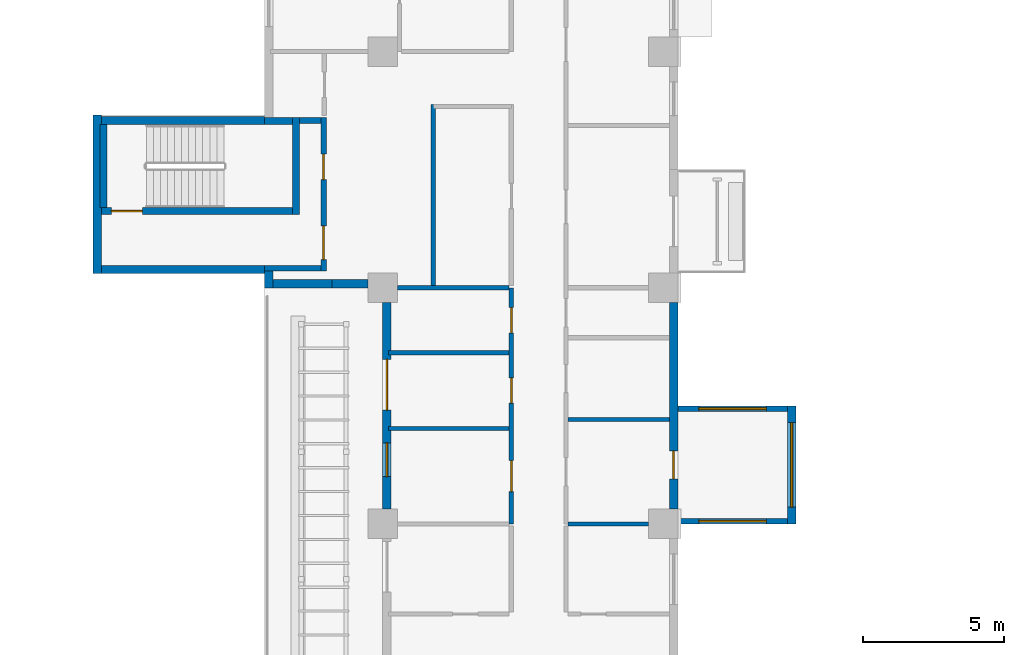
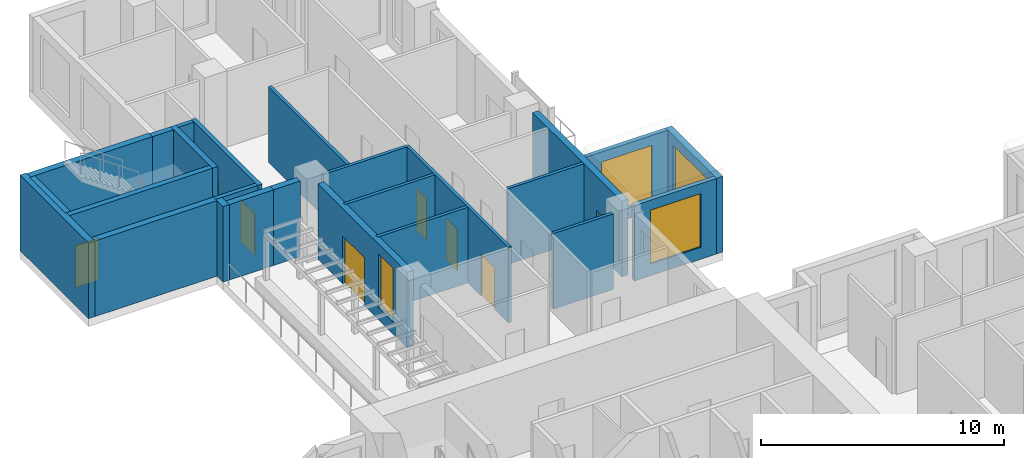
# One storey, part 8 of 16: 25 walls, 8 doors, 4 windows, 12 openings.
"""IFC4 building model written with IfcOpenShell, lengths in metres."""

from ifc_helpers import new_model, si_unit, direction, frame, frame_2d, origin, place, context, subcontext, project, spatial, rectangle, extrude, source, transform, mapped, material, layer, layer_set, type_object, element, fill, save


model = new_model("IFC4")

# Units and contexts
model_context = context("Model", 3, precision=1e-05, world=origin(), true_north=direction((0.0, 1.0)))
body_context = subcontext(model_context, "Body", "Model", "MODEL_VIEW")
ifc_project = project(units=[si_unit("LENGTHUNIT", "METRE"), si_unit("AREAUNIT", "SQUARE_METRE"), si_unit("VOLUMEUNIT", "CUBIC_METRE"), si_unit("PLANEANGLEUNIT", "RADIAN"), si_unit("MASSUNIT", "GRAM", prefix="KILO")], contexts=[model_context])

# Site, building, storey
site_placement = place(None, origin())
site = spatial("IfcSite", under=ifc_project, at=site_placement, CompositionType="ELEMENT")
building_placement = place(site_placement, origin())
building = spatial("IfcBuilding", under=site, at=building_placement, Name="Aurelian Terraces", CompositionType="ELEMENT")
storey_placement = place(building_placement, frame((0.0, 0.0, 124.5)))
storey = spatial("IfcBuildingStorey", under=building, at=storey_placement, Name="L27", CompositionType="ELEMENT", Elevation=124.5)

# Walls
ifc_material_1 = material(Name="Terracotta rainscreen cladding", Category="masonry")
ifc_layer_1 = layer(ifc_material_1, 0.3)
ifc_layer_set_1 = layer_set([ifc_layer_1], Name="EW-300")
wall_type_1 = type_object("IfcWallType", Name="EW-300", PredefinedType="STANDARD", material=ifc_layer_set_1)
wall_1_placement = place(storey_placement, frame((6.45, 38.4, 0.0), z_axis=(0.0, 0.0, 1.0), x_axis=(0.0, -1.0, 0.0)))
element("IfcWall", 1, at=wall_1_placement, inside=storey, type_object=wall_type_1, Name="External wall L27 F16.37", PredefinedType="STANDARD", context=body_context, shape_type="SweptSolid", body=[
    extrude(rectangle(XDim=0.6, YDim=0.3, at=frame_2d((0.3, 0.0))), origin(), (0.0, 0.0, 1.0), 3.8),
])
wall_2_placement = place(storey_placement, frame((8.7, 37.95, 0.0), z_axis=(0.0, 0.0, 1.0), x_axis=(1.0, 0.0, 0.0)))
element("IfcWall", 2, at=wall_2_placement, inside=storey, type_object=wall_type_1, Name="External wall L27 F17.38", PredefinedType="STANDARD", context=body_context, shape_type="SweptSolid", body=[
    extrude(rectangle(XDim=1.275, YDim=0.3, at=frame_2d((0.6375, 0.0))), origin(), (0.0, 0.0, 1.0), 3.8),
])
ifc_material_2 = material(Name="Concrete fc' 40 MPa", Category="concrete")
ifc_layer_2 = layer(ifc_material_2, 0.3)
ifc_layer_set_2 = layer_set([ifc_layer_2], Name="STAIR BAY WALL 300")
wall_type_2 = type_object("IfcWallType", Name="STAIR BAY WALL 300", PredefinedType="SOLIDWALL", material=ifc_layer_set_2)
wall_3_placement = place(storey_placement, frame((6.6, 37.95, 0.0), z_axis=(0.0, 0.0, 1.0), x_axis=(1.0, 0.0, 0.0)))
element("IfcWall", 3, at=wall_3_placement, inside=storey, type_object=wall_type_2, Name="Stair bay wall L27 F17.38", PredefinedType="SOLIDWALL", context=body_context, shape_type="SweptSolid", body=[
    extrude(rectangle(XDim=2.1, YDim=0.3, at=frame_2d((1.05, 0.0))), origin(), (0.0, 0.0, 1.0), 3.8),
])

# Wall, opening, window
ifc_layer_3 = layer(ifc_material_2, 0.2)
ifc_layer_set_3 = layer_set([ifc_layer_3], Name="BOX BEARING WALL 200")
wall_type_3 = type_object("IfcWallType", Name="BOX BEARING WALL 200", PredefinedType="SOLIDWALL", material=ifc_layer_set_3)
shared_shape_1 = source(origin(), body_context, "Body", "SweptSolid", [
    extrude(rectangle(XDim=3.9, YDim=0.2, at=frame_2d((1.95, 0.0))), origin(), (0.0, 0.0, 1.0), 3.8),
])
wall_4_placement = place(storey_placement, frame((21.0, 29.5, 0.0), z_axis=(0.0, 0.0, 1.0), x_axis=(1.0, 0.0, 0.0)))
wall_4 = element("IfcWall", 4, at=wall_4_placement, inside=storey, type_object=wall_type_3, Name="Box return L27 J38.1", PredefinedType="SOLIDWALL", context=body_context, shape_type="MappedRepresentation", body=[
    mapped(shared_shape_1, transform((0.0, 0.0, 0.0), scale=1.0)),
])
shared_shape_2 = source(origin(), body_context, "Body", "SweptSolid", [
    extrude(rectangle(XDim=2.4, YDim=2.7, at=frame_2d((1.2, 1.35))), frame((0.0, 0.11, 0.0), z_axis=(0.0, -1.0, 0.0), x_axis=(1.0, 0.0, 0.0)), (0.0, 0.0, 1.0), 0.22),
])
opening_1_placement = place(wall_4_placement, frame((0.75, 0.0, 0.6)))
opening_1 = element("IfcOpeningElement", 5, at=opening_1_placement, cuts=wall_4, Name="Opening W2427", PredefinedType="OPENING", context=body_context, shape_type="MappedRepresentation", body=[
    mapped(shared_shape_2, transform((0.0, 0.0, 0.0), scale=1.0)),
])
ifc_material_3 = material(Name="Clear glazing", Category="glass")
window_type_1 = type_object("IfcWindowType", Name="W-2400x2700", PartitioningType="SINGLE_PANEL", PredefinedType="WINDOW", material=ifc_material_3)
shared_shape_3 = source(origin(), body_context, "Body", "SweptSolid", [
    extrude(rectangle(XDim=2.4, YDim=2.7, at=frame_2d((1.2, 1.35))), frame((0.0, 0.03, 0.0), z_axis=(0.0, -1.0, 0.0), x_axis=(1.0, 0.0, 0.0)), (0.0, 0.0, 1.0), 0.06),
])
window_1_placement = place(opening_1_placement, origin())
window_1 = element("IfcWindow", 6, at=window_1_placement, inside=storey, type_object=window_type_1, Name="Window L27 J38-S1", OverallHeight=2.7, OverallWidth=2.4, PartitioningType="SINGLE_PANEL", PredefinedType="WINDOW", context=body_context, shape_type="MappedRepresentation", body=[
    mapped(shared_shape_3, transform((0.0, 0.0, 0.0), scale=1.0)),
])
fill(opening_1, window_1)

wall_5_placement = place(storey_placement, frame((21.0, 33.5, 0.0), z_axis=(0.0, 0.0, 1.0), x_axis=(1.0, 0.0, 0.0)))
wall_5 = element("IfcWall", 7, at=wall_5_placement, inside=storey, type_object=wall_type_3, Name="Box return L27 J38.2", PredefinedType="SOLIDWALL", context=body_context, shape_type="MappedRepresentation", body=[
    mapped(shared_shape_1, transform((0.0, 0.0, 0.0), scale=1.0)),
])
opening_2_placement = place(wall_5_placement, frame((0.75, 0.0, 0.6)))
opening_2 = element("IfcOpeningElement", 8, at=opening_2_placement, cuts=wall_5, Name="Opening W2427", PredefinedType="OPENING", context=body_context, shape_type="MappedRepresentation", body=[
    mapped(shared_shape_2, transform((0.0, 0.0, 0.0), scale=1.0)),
])
window_2_placement = place(opening_2_placement, origin())
window_2 = element("IfcWindow", 9, at=window_2_placement, inside=storey, type_object=window_type_1, Name="Window L27 J38-S2", OverallHeight=2.7, OverallWidth=2.4, PartitioningType="SINGLE_PANEL", PredefinedType="WINDOW", context=body_context, shape_type="MappedRepresentation", body=[
    mapped(shared_shape_3, transform((0.0, 0.0, 0.0), scale=1.0)),
])
fill(opening_2, window_2)

ifc_layer_4 = layer(ifc_material_2, 0.3)
ifc_layer_set_4 = layer_set([ifc_layer_4], Name="BOX BEARING WALL 300")
wall_type_4 = type_object("IfcWallType", Name="BOX BEARING WALL 300", PredefinedType="SOLIDWALL", material=ifc_layer_set_4)
shared_shape_4 = source(origin(), body_context, "Body", "SweptSolid", [
    extrude(rectangle(XDim=4.2, YDim=0.3, at=frame_2d((2.1, 0.0))), origin(), (0.0, 0.0, 1.0), 3.8),
])
wall_6_placement = place(storey_placement, frame((25.05, 29.4, 0.0), z_axis=(0.0, 0.0, 1.0), x_axis=(0.0, 1.0, 0.0)))
wall_6 = element("IfcWall", 10, at=wall_6_placement, inside=storey, type_object=wall_type_4, Name="Box wall L27 J38", PredefinedType="SOLIDWALL", context=body_context, shape_type="MappedRepresentation", body=[
    mapped(shared_shape_4, transform((0.0, 0.0, 0.0), scale=1.0)),
])
shared_shape_5 = source(origin(), body_context, "Body", "SweptSolid", [
    extrude(rectangle(XDim=3.0, YDim=2.7, at=frame_2d((1.5, 1.35))), frame((0.0, 0.16, 0.0), z_axis=(0.0, -1.0, 0.0), x_axis=(1.0, 0.0, 0.0)), (0.0, 0.0, 1.0), 0.32),
])
opening_3_placement = place(wall_6_placement, frame((0.6, 0.0, 0.6)))
opening_3 = element("IfcOpeningElement", 11, at=opening_3_placement, cuts=wall_6, Name="Opening W3027", PredefinedType="OPENING", context=body_context, shape_type="MappedRepresentation", body=[
    mapped(shared_shape_5, transform((0.0, 0.0, 0.0), scale=1.0)),
])
window_type_2 = type_object("IfcWindowType", Name="W-3000x2700", PartitioningType="SINGLE_PANEL", PredefinedType="WINDOW", material=ifc_material_3)
shared_shape_6 = source(origin(), body_context, "Body", "SweptSolid", [
    extrude(rectangle(XDim=3.0, YDim=2.7, at=frame_2d((1.5, 1.35))), frame((0.0, 0.03, 0.0), z_axis=(0.0, -1.0, 0.0), x_axis=(1.0, 0.0, 0.0)), (0.0, 0.0, 1.0), 0.06),
])
window_3_placement = place(opening_3_placement, origin())
window_3 = element("IfcWindow", 12, at=window_3_placement, inside=storey, type_object=window_type_2, Name="Window L27 J38-F1", OverallHeight=2.7, OverallWidth=3.0, PartitioningType="SINGLE_PANEL", PredefinedType="WINDOW", context=body_context, shape_type="MappedRepresentation", body=[
    mapped(shared_shape_6, transform((0.0, 0.0, 0.0), scale=1.0)),
])
fill(opening_3, window_3)

# Wall, opening, door
shared_shape_7 = source(origin(), body_context, "Body", "SweptSolid", [
    extrude(rectangle(XDim=7.35, YDim=0.3, at=frame_2d((3.675, 0.0))), origin(), (0.0, 0.0, 1.0), 3.8),
])
wall_7_placement = place(storey_placement, frame((20.85, 29.925, 0.0), z_axis=(0.0, 0.0, 1.0), x_axis=(0.0, 1.0, 0.0)))
wall_7 = element("IfcWall", 13, at=wall_7_placement, inside=storey, type_object=wall_type_1, Name="External wall L27 F08.25", PredefinedType="STANDARD", context=body_context, shape_type="MappedRepresentation", body=[
    mapped(shared_shape_7, transform((0.0, 0.0, 0.0), scale=1.0)),
])
shared_shape_8 = source(origin(), body_context, "Body", "SweptSolid", [
    extrude(rectangle(XDim=1.0, YDim=2.1, at=frame_2d((0.5, 1.05))), frame((0.0, 0.16, 0.0), z_axis=(0.0, -1.0, 0.0), x_axis=(1.0, 0.0, 0.0)), (0.0, 0.0, 1.0), 0.32),
])
opening_4_placement = place(wall_7_placement, frame((1.075, 0.0, 0.0)))
opening_4 = element("IfcOpeningElement", 14, at=opening_4_placement, cuts=wall_7, Name="Opening 827003", PredefinedType="OPENING", context=body_context, shape_type="MappedRepresentation", body=[
    mapped(shared_shape_8, transform((0.0, 0.0, 0.0), scale=1.0)),
])
ifc_material_4 = material(Name="Timber door leaf", Category="wood")
door_type_1 = type_object("IfcDoorType", Name="Room door 1000x2100 left", OperationType="SINGLE_SWING_LEFT", PredefinedType="DOOR", material=ifc_material_4)
shared_shape_9 = source(origin(), body_context, "Body", "SweptSolid", [
    extrude(rectangle(XDim=1.0, YDim=2.1, at=frame_2d((0.5, 1.05))), frame((0.0, 0.025, 0.0), z_axis=(0.0, -1.0, 0.0), x_axis=(1.0, 0.0, 0.0)), (0.0, 0.0, 1.0), 0.05),
])
door_1_placement = place(opening_4_placement, origin())
door_1 = element("IfcDoor", 15, at=door_1_placement, inside=storey, type_object=door_type_1, Name="Door 827003", OperationType="SINGLE_SWING_LEFT", OverallHeight=2.1, OverallWidth=1.0, PredefinedType="DOOR", context=body_context, shape_type="MappedRepresentation", body=[
    mapped(shared_shape_9, transform((0.0, 0.0, 0.0), scale=1.0)),
])
fill(opening_4, door_1)

# Wall, openings, door, window
wall_8_placement = place(storey_placement, frame((10.65, 37.275, 0.0), z_axis=(0.0, 0.0, 1.0), x_axis=(0.0, -1.0, 0.0)))
wall_8 = element("IfcWall", 16, at=wall_8_placement, inside=storey, type_object=wall_type_1, Name="External wall L27 F18.39", PredefinedType="STANDARD", context=body_context, shape_type="MappedRepresentation", body=[
    mapped(shared_shape_7, transform((0.0, 0.0, 0.0), scale=1.0)),
])
shared_shape_10 = source(origin(), body_context, "Body", "SweptSolid", [
    extrude(rectangle(XDim=1.8, YDim=2.4, at=frame_2d((0.9, 1.2))), frame((0.0, 0.16, 0.0), z_axis=(0.0, -1.0, 0.0), x_axis=(1.0, 0.0, 0.0)), (0.0, 0.0, 1.0), 0.32),
])
opening_5_placement = place(wall_8_placement, frame((2.025, 0.0, 0.0)))
opening_5 = element("IfcOpeningElement", 17, at=opening_5_placement, cuts=wall_8, Name="Opening 82703", PredefinedType="OPENING", context=body_context, shape_type="MappedRepresentation", body=[
    mapped(shared_shape_10, transform((0.0, 0.0, 0.0), scale=1.0)),
])
shared_shape_11 = source(origin(), body_context, "Body", "SweptSolid", [
    extrude(rectangle(XDim=1.2, YDim=2.7, at=frame_2d((0.6, 1.35))), frame((0.0, 0.16, 0.0), z_axis=(0.0, -1.0, 0.0), x_axis=(1.0, 0.0, 0.0)), (0.0, 0.0, 1.0), 0.32),
])
opening_6_placement = place(wall_8_placement, frame((4.989, 0.0, 0.6)))
opening_6 = element("IfcOpeningElement", 18, at=opening_6_placement, cuts=wall_8, Name="Opening W1227", PredefinedType="OPENING", context=body_context, shape_type="MappedRepresentation", body=[
    mapped(shared_shape_11, transform((0.0, 0.0, 0.0), scale=1.0)),
])
door_type_2 = type_object("IfcDoorType", Name="BD-1800x2400", OperationType="SLIDING_TO_LEFT", PredefinedType="DOOR", material=ifc_material_3)
shared_shape_12 = source(origin(), body_context, "Body", "SweptSolid", [
    extrude(rectangle(XDim=1.8, YDim=2.4, at=frame_2d((0.9, 1.2))), frame((0.0, 0.025, 0.0), z_axis=(0.0, -1.0, 0.0), x_axis=(1.0, 0.0, 0.0)), (0.0, 0.0, 1.0), 0.05),
])
door_2_placement = place(opening_5_placement, origin())
door_2 = element("IfcDoor", 19, at=door_2_placement, inside=storey, type_object=door_type_2, Name="Terrace door L27 L27-F18-39.1", OperationType="SLIDING_TO_LEFT", OverallHeight=2.4, OverallWidth=1.8, PredefinedType="DOOR", context=body_context, shape_type="MappedRepresentation", body=[
    mapped(shared_shape_12, transform((0.0, 0.0, 0.0), scale=1.0)),
])
fill(opening_5, door_2)
window_type_3 = type_object("IfcWindowType", Name="W-1200x2700", PartitioningType="SINGLE_PANEL", PredefinedType="WINDOW", material=ifc_material_3)
shared_shape_13 = source(origin(), body_context, "Body", "SweptSolid", [
    extrude(rectangle(XDim=1.2, YDim=2.7, at=frame_2d((0.6, 1.35))), frame((0.0, 0.03, 0.0), z_axis=(0.0, -1.0, 0.0), x_axis=(1.0, 0.0, 0.0)), (0.0, 0.0, 1.0), 0.06),
])
window_4_placement = place(opening_6_placement, origin())
window_4 = element("IfcWindow", 20, at=window_4_placement, inside=storey, type_object=window_type_3, Name="Window L27 L27-F18-39-1", OverallHeight=2.7, OverallWidth=1.2, PartitioningType="SINGLE_PANEL", PredefinedType="WINDOW", context=body_context, shape_type="MappedRepresentation", body=[
    mapped(shared_shape_13, transform((0.0, 0.0, 0.0), scale=1.0)),
])
fill(opening_6, window_4)

# Walls
shared_shape_14 = source(origin(), body_context, "Body", "SweptSolid", [
    extrude(rectangle(XDim=6.1, YDim=0.3, at=frame_2d((3.05, 0.0))), origin(), (0.0, 0.0, 1.0), 3.8),
])
for number, where, z_axis, x_axis, name in (
    (21, (6.3, 43.75, 0.0), (0.0, 0.0, 1.0), (-1.0, 0.0, 0.0), "Stair bay wall L27 F13.34"),
    (22, (0.2, 38.45, 0.0), (0.0, 0.0, 1.0), (1.0, 0.0, 0.0), "Stair bay wall L27 F15.36"),
):
    element("IfcWall", number, at=place(storey_placement, frame(where, z_axis=z_axis, x_axis=x_axis)), inside=storey, type_object=wall_type_2, Name=name, PredefinedType="SOLIDWALL", context=body_context, shape_type="MappedRepresentation", body=[
        mapped(shared_shape_14, transform((0.0, 0.0, 0.0), scale=1.0)),
    ])
shared_shape_15 = source(origin(), body_context, "Body", "SweptSolid", [
    extrude(rectangle(XDim=5.65, YDim=0.3, at=frame_2d((2.825, 0.0))), origin(), (0.0, 0.0, 1.0), 3.8),
])
wall_9_placement = place(storey_placement, frame((0.35, 43.95, 0.0), z_axis=(0.0, 0.0, 1.0), x_axis=(0.0, -1.0, 0.0)))
element("IfcWall", 23, at=wall_9_placement, inside=storey, type_object=wall_type_2, Name="Stair bay wall L27 F14.35", PredefinedType="SOLIDWALL", context=body_context, shape_type="MappedRepresentation", body=[
    mapped(shared_shape_15, transform((0.0, 0.0, 0.0), scale=1.0)),
])

# Wall, opening, door
ifc_layer_5 = layer(ifc_material_2, 0.25)
ifc_layer_set_5 = layer_set([ifc_layer_5], Name="Stair enclosure wall 250")
wall_type_5 = type_object("IfcWallType", Name="Stair enclosure wall 250", PredefinedType="SOLIDWALL", material=ifc_layer_set_5)
shared_shape_16 = source(origin(), body_context, "Body", "SweptSolid", [
    extrude(rectangle(XDim=7.0, YDim=0.25, at=frame_2d((3.5, 0.0))), origin(), (0.0, 0.0, 1.0), 3.8),
])
wall_10_placement = place(storey_placement, frame((0.3, 40.525, 0.0), z_axis=(0.0, 0.0, 1.0), x_axis=(1.0, 0.0, 0.0)))
wall_10 = element("IfcWall", 24, at=wall_10_placement, inside=storey, type_object=wall_type_5, Name="L27 core wall ST-S3-W", PredefinedType="SOLIDWALL", context=body_context, shape_type="MappedRepresentation", body=[
    mapped(shared_shape_16, transform((0.0, 0.0, 0.0), scale=1.0)),
])
shared_shape_17 = source(origin(), body_context, "Body", "SweptSolid", [
    extrude(rectangle(XDim=1.1, YDim=2.1, at=frame_2d((0.55, 1.05))), frame((0.0, 0.135, 0.0), z_axis=(0.0, -1.0, 0.0), x_axis=(1.0, 0.0, 0.0)), (0.0, 0.0, 1.0), 0.27),
])
opening_7_placement = place(wall_10_placement, frame((0.55, 0.0, 0.0)))
opening_7 = element("IfcOpeningElement", 25, at=opening_7_placement, cuts=wall_10, Name="Opening 63017", PredefinedType="OPENING", context=body_context, shape_type="MappedRepresentation", body=[
    mapped(shared_shape_17, transform((0.0, 0.0, 0.0), scale=1.0)),
])
ifc_material_5 = material(Name="Steel door leaf", Category="steel")
door_type_3 = type_object("IfcDoorType", Name="Core fire door 1100x2100 right", OperationType="SINGLE_SWING_RIGHT", PredefinedType="DOOR", material=ifc_material_5)
shared_shape_18 = source(origin(), body_context, "Body", "SweptSolid", [
    extrude(rectangle(XDim=1.1, YDim=2.1, at=frame_2d((0.55, 1.05))), frame((0.0, 0.025, 0.0), z_axis=(0.0, -1.0, 0.0), x_axis=(1.0, 0.0, 0.0)), (0.0, 0.0, 1.0), 0.05),
])
door_3_placement = place(opening_7_placement, origin())
door_3 = element("IfcDoor", 26, at=door_3_placement, inside=storey, type_object=door_type_3, Name="Stair door 63017", OperationType="SINGLE_SWING_RIGHT", OverallHeight=2.1, OverallWidth=1.1, PredefinedType="DOOR", context=body_context, shape_type="MappedRepresentation", body=[
    mapped(shared_shape_18, transform((0.0, 0.0, 0.0), scale=1.0)),
])
fill(opening_7, door_3)

# Walls
shared_shape_19 = source(origin(), body_context, "Body", "SweptSolid", [
    extrude(rectangle(XDim=3.45, YDim=0.25, at=frame_2d((1.725, 0.0))), origin(), (0.0, 0.0, 1.0), 3.8),
])
wall_11_placement = place(storey_placement, frame((7.425, 40.4, 0.0), z_axis=(0.0, 0.0, 1.0), x_axis=(0.0, 1.0, 0.0)))
element("IfcWall", 27, at=wall_11_placement, inside=storey, type_object=wall_type_5, Name="L27 core wall ST-S3-N", PredefinedType="SOLIDWALL", context=body_context, shape_type="MappedRepresentation", body=[
    mapped(shared_shape_19, transform((0.0, 0.0, 0.0), scale=1.0)),
])
shared_shape_20 = source(origin(), body_context, "Body", "SweptSolid", [
    extrude(rectangle(XDim=2.95, YDim=0.25, at=frame_2d((1.475, 0.0))), origin(), (0.0, 0.0, 1.0), 3.8),
])
wall_12_placement = place(storey_placement, frame((0.575, 40.65, 0.0), z_axis=(0.0, 0.0, 1.0), x_axis=(0.0, 1.0, 0.0)))
element("IfcWall", 28, at=wall_12_placement, inside=storey, type_object=wall_type_5, Name="L27 core wall ST-S3-SS", PredefinedType="SOLIDWALL", context=body_context, shape_type="MappedRepresentation", body=[
    mapped(shared_shape_20, transform((0.0, 0.0, 0.0), scale=1.0)),
])

# Wall, openings, doors
ifc_material_6 = material(Name="Gypsum board on steel studs", Category="steel")
ifc_layer_6 = layer(ifc_material_6, 0.2)
ifc_layer_set_6 = layer_set([ifc_layer_6], Name="Core partition 200")
wall_type_6 = type_object("IfcWallType", Name="Core partition 200", PredefinedType="PARTITIONING", material=ifc_layer_set_6)
shared_shape_21 = source(origin(), body_context, "Body", "SweptSolid", [
    extrude(rectangle(XDim=5.45, YDim=0.2, at=frame_2d((2.725, 0.0))), origin(), (0.0, 0.0, 1.0), 3.8),
])
wall_13_placement = place(storey_placement, frame((8.4, 38.4, 0.0), z_axis=(0.0, 0.0, 1.0), x_axis=(0.0, 1.0, 0.0)))
wall_13 = element("IfcWall", 29, at=wall_13_placement, inside=storey, type_object=wall_type_6, Name="L27 core wall ST-S3-BN", PredefinedType="PARTITIONING", context=body_context, shape_type="MappedRepresentation", body=[
    mapped(shared_shape_21, transform((0.0, 0.0, 0.0), scale=1.0)),
])
shared_shape_22 = source(origin(), body_context, "Body", "SweptSolid", [
    extrude(rectangle(XDim=1.2, YDim=2.1, at=frame_2d((0.6, 1.05))), frame((0.0, 0.11, 0.0), z_axis=(0.0, -1.0, 0.0), x_axis=(1.0, 0.0, 0.0)), (0.0, 0.0, 1.0), 0.22),
])
opening_8_placement = place(wall_13_placement, frame((0.4, 0.0, 0.0)))
opening_8 = element("IfcOpeningElement", 30, at=opening_8_placement, cuts=wall_13, Name="Opening 63018", PredefinedType="OPENING", context=body_context, shape_type="MappedRepresentation", body=[
    mapped(shared_shape_22, transform((0.0, 0.0, 0.0), scale=1.0)),
])
shared_shape_23 = source(origin(), body_context, "Body", "SweptSolid", [
    extrude(rectangle(XDim=0.9, YDim=2.1, at=frame_2d((0.45, 1.05))), frame((0.0, 0.11, 0.0), z_axis=(0.0, -1.0, 0.0), x_axis=(1.0, 0.0, 0.0)), (0.0, 0.0, 1.0), 0.22),
])
opening_9_placement = place(wall_13_placement, frame((3.25, 0.0, 0.0)))
opening_9 = element("IfcOpeningElement", 31, at=opening_9_placement, cuts=wall_13, Name="Opening 63019", PredefinedType="OPENING", context=body_context, shape_type="MappedRepresentation", body=[
    mapped(shared_shape_23, transform((0.0, 0.0, 0.0), scale=1.0)),
])
door_type_4 = type_object("IfcDoorType", Name="Core riser door 900x2100 right", OperationType="SINGLE_SWING_RIGHT", PredefinedType="DOOR", material=ifc_material_5)
shared_shape_24 = source(origin(), body_context, "Body", "SweptSolid", [
    extrude(rectangle(XDim=0.9, YDim=2.1, at=frame_2d((0.45, 1.05))), frame((0.0, 0.025, 0.0), z_axis=(0.0, -1.0, 0.0), x_axis=(1.0, 0.0, 0.0)), (0.0, 0.0, 1.0), 0.05),
])
door_4_placement = place(opening_9_placement, origin())
door_4 = element("IfcDoor", 32, at=door_4_placement, inside=storey, type_object=door_type_4, Name="Riser door 63019", OperationType="SINGLE_SWING_RIGHT", OverallHeight=2.1, OverallWidth=0.9, PredefinedType="DOOR", context=body_context, shape_type="MappedRepresentation", body=[
    mapped(shared_shape_24, transform((0.0, 0.0, 0.0), scale=1.0)),
])
fill(opening_9, door_4)
door_type_5 = type_object("IfcDoorType", Name="Core fire door 1200x2100", OperationType="SINGLE_SWING_LEFT", PredefinedType="DOOR", material=ifc_material_5)
shared_shape_25 = source(origin(), body_context, "Body", "SweptSolid", [
    extrude(rectangle(XDim=1.2, YDim=2.1, at=frame_2d((0.6, 1.05))), frame((0.0, 0.025, 0.0), z_axis=(0.0, -1.0, 0.0), x_axis=(1.0, 0.0, 0.0)), (0.0, 0.0, 1.0), 0.05),
])
door_5_placement = place(opening_8_placement, origin())
door_5 = element("IfcDoor", 33, at=door_5_placement, inside=storey, type_object=door_type_5, Name="Vestibule door 63018", OperationType="SINGLE_SWING_LEFT", OverallHeight=2.1, OverallWidth=1.2, PredefinedType="DOOR", context=body_context, shape_type="MappedRepresentation", body=[
    mapped(shared_shape_25, transform((0.0, 0.0, 0.0), scale=1.0)),
])
fill(opening_8, door_5)

# Walls
shared_shape_26 = source(origin(), body_context, "Body", "SweptSolid", [
    extrude(rectangle(XDim=0.75, YDim=0.2, at=frame_2d((0.375, 0.0))), origin(), (0.0, 0.0, 1.0), 3.8),
])
wall_14_placement = place(storey_placement, frame((7.55, 43.75, 0.0), z_axis=(0.0, 0.0, 1.0), x_axis=(1.0, 0.0, 0.0)))
element("IfcWall", 34, at=wall_14_placement, inside=storey, type_object=wall_type_6, Name="L27 core wall ST-S3-RE", PredefinedType="PARTITIONING", context=body_context, shape_type="MappedRepresentation", body=[
    mapped(shared_shape_26, transform((0.0, 0.0, 0.0), scale=1.0)),
])
shared_shape_27 = source(origin(), body_context, "Body", "SweptSolid", [
    extrude(rectangle(XDim=1.0, YDim=0.25, at=frame_2d((0.5, 0.0))), origin(), (0.0, 0.0, 1.0), 3.8),
])
wall_15_placement = place(storey_placement, frame((6.3, 43.725, 0.0), z_axis=(0.0, 0.0, 1.0), x_axis=(1.0, 0.0, 0.0)))
element("IfcWall", 35, at=wall_15_placement, inside=storey, type_object=wall_type_5, Name="L27 core wall ST-S3-E", PredefinedType="SOLIDWALL", context=body_context, shape_type="MappedRepresentation", body=[
    mapped(shared_shape_27, transform((0.0, 0.0, 0.0), scale=1.0)),
])
shared_shape_28 = source(origin(), body_context, "Body", "SweptSolid", [
    extrude(rectangle(XDim=2.0, YDim=0.2, at=frame_2d((1.0, 0.0))), origin(), (0.0, 0.0, 1.0), 3.8),
])
wall_16_placement = place(storey_placement, frame((6.3, 38.5, 0.0), z_axis=(0.0, 0.0, 1.0), x_axis=(1.0, 0.0, 0.0)))
element("IfcWall", 36, at=wall_16_placement, inside=storey, type_object=wall_type_6, Name="L27 core wall ST-S3-VW", PredefinedType="PARTITIONING", context=body_context, shape_type="MappedRepresentation", body=[
    mapped(shared_shape_28, transform((0.0, 0.0, 0.0), scale=1.0)),
])
ifc_layer_7 = layer(ifc_material_6, 0.15)
ifc_layer_set_7 = layer_set([ifc_layer_7], Name="Partition 150")
wall_type_7 = type_object("IfcWallType", Name="Partition 150", PredefinedType="PARTITIONING", material=ifc_layer_set_7)
shared_shape_29 = source(origin(), body_context, "Body", "SweptSolid", [
    extrude(rectangle(XDim=6.45, YDim=0.15, at=frame_2d((3.225, 0.0))), origin(), (0.0, 0.0, 1.0), 3.8),
])
wall_17_placement = place(storey_placement, frame((12.3, 44.325, 0.0), z_axis=(0.0, 0.0, 1.0), x_axis=(0.0, -1.0, 0.0)))
element("IfcWall", 37, at=wall_17_placement, inside=storey, type_object=wall_type_7, Name="Partition", PredefinedType="PARTITIONING", context=body_context, shape_type="MappedRepresentation", body=[
    mapped(shared_shape_29, transform((0.0, 0.0, 0.0), scale=1.0)),
])
shared_shape_30 = source(origin(), body_context, "Body", "SweptSolid", [
    extrude(rectangle(XDim=3.6, YDim=0.15, at=frame_2d((1.8, 0.0))), origin(), (0.0, 0.0, 1.0), 3.8),
])
wall_18_placement = place(storey_placement, frame((17.1, 33.1133, 0.0), z_axis=(0.0, 0.0, 1.0), x_axis=(1.0, 0.0, 0.0)))
element("IfcWall", 38, at=wall_18_placement, inside=storey, type_object=wall_type_7, Name="Partition", PredefinedType="PARTITIONING", context=body_context, shape_type="MappedRepresentation", body=[
    mapped(shared_shape_30, transform((0.0, 0.0, 0.0), scale=1.0)),
])

# Wall, openings, doors
ifc_layer_8 = layer(ifc_material_6, 0.15)
ifc_layer_set_8 = layer_set([ifc_layer_8], Name="Fire partition 150")
wall_type_8 = type_object("IfcWallType", Name="Fire partition 150", PredefinedType="PARTITIONING", material=ifc_layer_set_8)
shared_shape_31 = source(origin(), body_context, "Body", "SweptSolid", [
    extrude(rectangle(XDim=8.4, YDim=0.15, at=frame_2d((4.2, 0.0))), origin(), (0.0, 0.0, 1.0), 3.8),
])
wall_19_placement = place(storey_placement, frame((15.075, 29.4, 0.0), z_axis=(0.0, 0.0, 1.0), x_axis=(0.0, 1.0, 0.0)))
wall_19 = element("IfcWall", 39, at=wall_19_placement, inside=storey, type_object=wall_type_8, Name="Corridor wall", PredefinedType="PARTITIONING", context=body_context, shape_type="MappedRepresentation", body=[
    mapped(shared_shape_31, transform((0.0, 0.0, 0.0), scale=1.0)),
])
shared_shape_32 = source(origin(), body_context, "Body", "SweptSolid", [
    extrude(rectangle(XDim=1.1, YDim=2.1, at=frame_2d((0.55, 1.05))), frame((0.0, 0.085, 0.0), z_axis=(0.0, -1.0, 0.0), x_axis=(1.0, 0.0, 0.0)), (0.0, 0.0, 1.0), 0.17),
])
opening_10_placement = place(wall_19_placement, frame((1.1485, 0.0, 0.0)))
opening_10 = element("IfcOpeningElement", 40, at=opening_10_placement, cuts=wall_19, Name="Opening 727031", PredefinedType="OPENING", context=body_context, shape_type="MappedRepresentation", body=[
    mapped(shared_shape_32, transform((0.0, 0.0, 0.0), scale=1.0)),
])
shared_shape_33 = source(origin(), body_context, "Body", "SweptSolid", [
    extrude(rectangle(XDim=0.9, YDim=2.1, at=frame_2d((0.45, 1.05))), frame((0.0, 0.085, 0.0), z_axis=(0.0, -1.0, 0.0), x_axis=(1.0, 0.0, 0.0)), (0.0, 0.0, 1.0), 0.17),
])
opening_11_placement = place(wall_19_placement, frame((4.2935, 0.0, 0.0)))
opening_11 = element("IfcOpeningElement", 41, at=opening_11_placement, cuts=wall_19, Name="Opening 727032", PredefinedType="OPENING", context=body_context, shape_type="MappedRepresentation", body=[
    mapped(shared_shape_33, transform((0.0, 0.0, 0.0), scale=1.0)),
])
opening_12_placement = place(wall_19_placement, frame((6.7949, 0.0, 0.0)))
opening_12 = element("IfcOpeningElement", 42, at=opening_12_placement, cuts=wall_19, Name="Opening 727033", PredefinedType="OPENING", context=body_context, shape_type="MappedRepresentation", body=[
    mapped(shared_shape_33, transform((0.0, 0.0, 0.0), scale=1.0)),
])
door_type_6 = type_object("IfcDoorType", Name="Room door 900x2100 left", OperationType="SINGLE_SWING_LEFT", PredefinedType="DOOR", material=ifc_material_4)
door_6_placement = place(opening_11_placement, origin())
door_6 = element("IfcDoor", 43, at=door_6_placement, inside=storey, type_object=door_type_6, Name="Door 727032", OperationType="SINGLE_SWING_LEFT", OverallHeight=2.1, OverallWidth=0.9, PredefinedType="DOOR", context=body_context, shape_type="MappedRepresentation", body=[
    mapped(shared_shape_24, transform((0.0, 0.0, 0.0), scale=1.0)),
])
fill(opening_11, door_6)
door_type_7 = type_object("IfcDoorType", Name="Room door 900x2100 right", OperationType="SINGLE_SWING_RIGHT", PredefinedType="DOOR", material=ifc_material_4)
door_7_placement = place(opening_12_placement, origin())
door_7 = element("IfcDoor", 44, at=door_7_placement, inside=storey, type_object=door_type_7, Name="Door 727033", OperationType="SINGLE_SWING_RIGHT", OverallHeight=2.1, OverallWidth=0.9, PredefinedType="DOOR", context=body_context, shape_type="MappedRepresentation", body=[
    mapped(shared_shape_24, transform((0.0, 0.0, 0.0), scale=1.0)),
])
fill(opening_12, door_7)
door_type_8 = type_object("IfcDoorType", Name="Room door 1100x2100 left", OperationType="SINGLE_SWING_LEFT", PredefinedType="DOOR", material=ifc_material_4)
door_8_placement = place(opening_10_placement, origin())
door_8 = element("IfcDoor", 45, at=door_8_placement, inside=storey, type_object=door_type_8, Name="Door 727031", OperationType="SINGLE_SWING_LEFT", OverallHeight=2.1, OverallWidth=1.1, PredefinedType="DOOR", context=body_context, shape_type="MappedRepresentation", body=[
    mapped(shared_shape_18, transform((0.0, 0.0, 0.0), scale=1.0)),
])
fill(opening_10, door_8)

# Walls
shared_shape_34 = source(origin(), body_context, "Body", "SweptSolid", [
    extrude(rectangle(XDim=4.295, YDim=0.15, at=frame_2d((2.1475, 0.0))), origin(), (0.0, 0.0, 1.0), 3.8),
])
for number, where, z_axis, x_axis, name in (
    (46, (15.0, 32.797, 0.0), (0.0, 0.0, 1.0), (-1.0, 0.0, 0.0), "Partition"),
    (47, (15.0, 35.4899, 0.0), (0.0, 0.0, 1.0), (-1.0, 0.0, 0.0), "Partition"),
):
    element("IfcWall", number, at=place(storey_placement, frame(where, z_axis=z_axis, x_axis=x_axis)), inside=storey, type_object=wall_type_7, Name=name, PredefinedType="PARTITIONING", context=body_context, shape_type="MappedRepresentation", body=[
        mapped(shared_shape_34, transform((0.0, 0.0, 0.0), scale=1.0)),
    ])
shared_shape_35 = source(origin(), body_context, "Body", "SweptSolid", [
    extrude(rectangle(XDim=3.976, YDim=0.15, at=frame_2d((1.988, 0.0))), origin(), (0.0, 0.0, 1.0), 3.8),
])
wall_20_placement = place(storey_placement, frame((15.0, 37.8, 0.0), z_axis=(0.0, 0.0, 1.0), x_axis=(-1.0, 0.0, 0.0)))
element("IfcWall", 48, at=wall_20_placement, inside=storey, type_object=wall_type_7, Name="Partition", PredefinedType="PARTITIONING", context=body_context, shape_type="MappedRepresentation", body=[
    mapped(shared_shape_35, transform((0.0, 0.0, 0.0), scale=1.0)),
])
shared_shape_36 = source(origin(), body_context, "Body", "SweptSolid", [
    extrude(rectangle(XDim=2.851, YDim=0.15, at=frame_2d((1.4255, 0.0))), origin(), (0.0, 0.0, 1.0), 3.8),
])
wall_21_placement = place(storey_placement, frame((19.951, 29.4, 0.0), z_axis=(0.0, 0.0, 1.0), x_axis=(-1.0, 0.0, 0.0)))
element("IfcWall", 49, at=wall_21_placement, inside=storey, type_object=wall_type_7, Name="Partition", PredefinedType="PARTITIONING", context=body_context, shape_type="MappedRepresentation", body=[
    mapped(shared_shape_36, transform((0.0, 0.0, 0.0), scale=1.0)),
])

save(model, "model.ifc")
